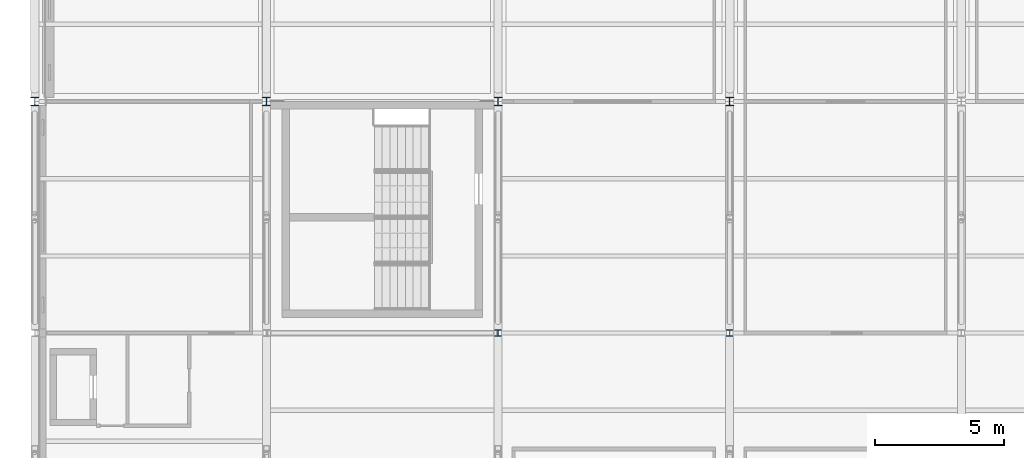
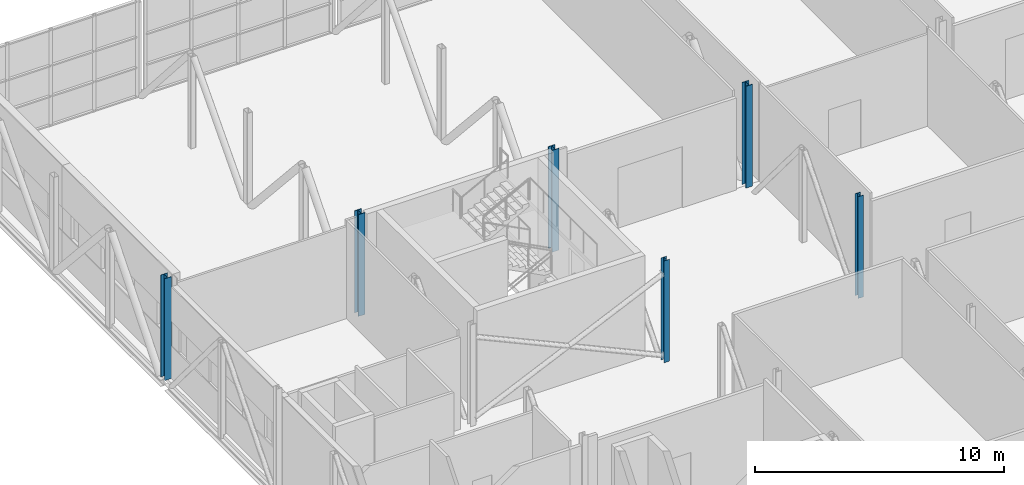
# One storey, part 6 of 94: 6 columns.
"""IFC4 building model written with IfcOpenShell, lengths in metres."""

from ifc_helpers import new_model, si_unit, direction, frame, origin, origin_2d, place, context, subcontext, project, spatial, i_section, extrude, material, material_profile, profile_set, type_object, element, save


model = new_model("IFC4")

# Units and contexts
model_context = context("Model", 3, precision=1e-05, world=origin(), true_north=direction((0.0, 1.0)))
body_context = subcontext(model_context, "Body", "Model", "MODEL_VIEW")
ifc_project = project(units=[si_unit("LENGTHUNIT", "METRE"), si_unit("AREAUNIT", "SQUARE_METRE"), si_unit("VOLUMEUNIT", "CUBIC_METRE"), si_unit("PLANEANGLEUNIT", "RADIAN"), si_unit("MASSUNIT", "GRAM", prefix="KILO")], contexts=[model_context])

# Site, building, storey
site_placement = place(None, origin())
site = spatial("IfcSite", under=ifc_project, at=site_placement, CompositionType="ELEMENT")
building_placement = place(site_placement, origin())
building = spatial("IfcBuilding", under=site, at=building_placement, Name="Shorebreak Coast Museum", CompositionType="ELEMENT")
storey_placement = place(building_placement, frame((0.0, 0.0, 31.0)))
storey = spatial("IfcBuildingStorey", under=building, at=storey_placement, Name="L05", CompositionType="ELEMENT", Elevation=31.0)

# Columns
ifc_material_1 = material(Name="Steel Grade 300", Category="steel")
ifc_material_profile_1 = material_profile(ifc_material_1, i_section(OverallWidth=0.25390625, OverallDepth=0.25390625, WebThickness=0.008544921875, FlangeThickness=0.01416015625, FilletRadius=0.013916015625, at=origin_2d()), Name="250UC72.9")
ifc_profile_set_1 = profile_set([ifc_material_profile_1], Name="Steel Grade 300")
column_type_1 = type_object("IfcColumnType", Name="Column 250UC72.9", PredefinedType="COLUMN", material=ifc_profile_set_1)
for number, where, z_axis, x_axis, name in (
    (1, (72.0, 108.0, 0.0), (0.0, 0.0, 1.0), (1.0, 0.0, 0.0), "Column L05 9N"),
    (2, (81.0, 108.0, 0.0), (0.0, 0.0, 1.0), (1.0, 0.0, 0.0), "Column L05 10N"),
):
    element("IfcColumn", number, at=place(storey_placement, frame(where, z_axis=z_axis, x_axis=x_axis)), inside=storey, type_object=column_type_1, Name=name, PredefinedType="COLUMN", context=body_context, shape_type="SweptSolid", body=[
        extrude(i_section(OverallWidth=0.25390625, OverallDepth=0.25390625, WebThickness=0.008544921875, FlangeThickness=0.01416015625, FilletRadius=0.013916015625, at=origin_2d()), origin(), (0.0, 0.0, 1.0), 5.0),
    ])
ifc_material_2 = material(Name="Steel Grade 300", Category="steel")
ifc_material_profile_2 = material_profile(ifc_material_2, i_section(OverallWidth=0.31103515625, OverallDepth=0.3271484375, WebThickness=0.015625, FlangeThickness=0.02490234375, FilletRadius=0.0166015625, at=origin_2d()), Name="310UC158")
ifc_profile_set_2 = profile_set([ifc_material_profile_2], Name="Steel Grade 300")
column_type_2 = type_object("IfcColumnType", Name="Column 310UC158", PredefinedType="COLUMN", material=ifc_profile_set_2)
for number, where, z_axis, x_axis, name in (
    (3, (54.0, 117.0, 0.0), (0.0, 0.0, 1.0), (1.0, 0.0, 0.0), "Column L05 7P"),
    (4, (63.0, 117.0, 0.0), (0.0, 0.0, 1.0), (1.0, 0.0, 0.0), "Column L05 8P"),
    (5, (72.0, 117.0, 0.0), (0.0, 0.0, 1.0), (1.0, 0.0, 0.0), "Column L05 9P"),
    (6, (81.0, 117.0, 0.0), (0.0, 0.0, 1.0), (1.0, 0.0, 0.0), "Column L05 10P"),
):
    element("IfcColumn", number, at=place(storey_placement, frame(where, z_axis=z_axis, x_axis=x_axis)), inside=storey, type_object=column_type_2, Name=name, PredefinedType="COLUMN", context=body_context, shape_type="SweptSolid", body=[
        extrude(i_section(OverallWidth=0.31103515625, OverallDepth=0.3271484375, WebThickness=0.015625, FlangeThickness=0.02490234375, FilletRadius=0.0166015625, at=origin_2d()), origin(), (0.0, 0.0, 1.0), 5.0),
    ])

save(model, "model.ifc")
